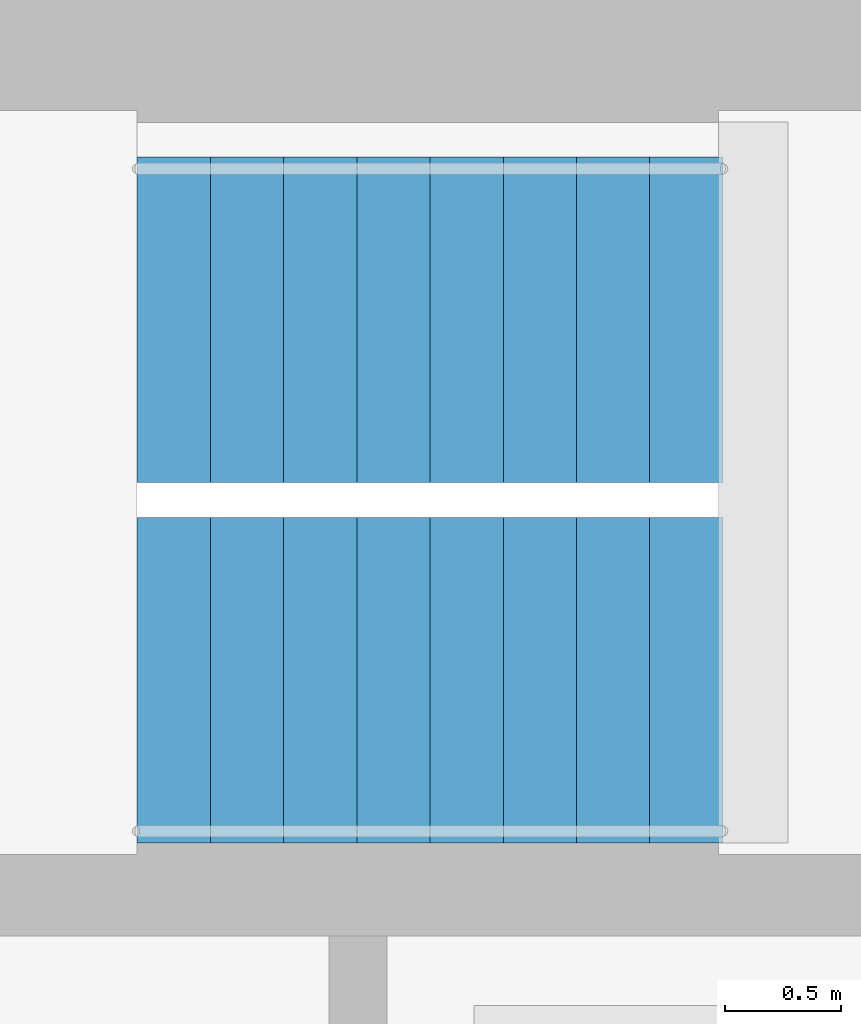
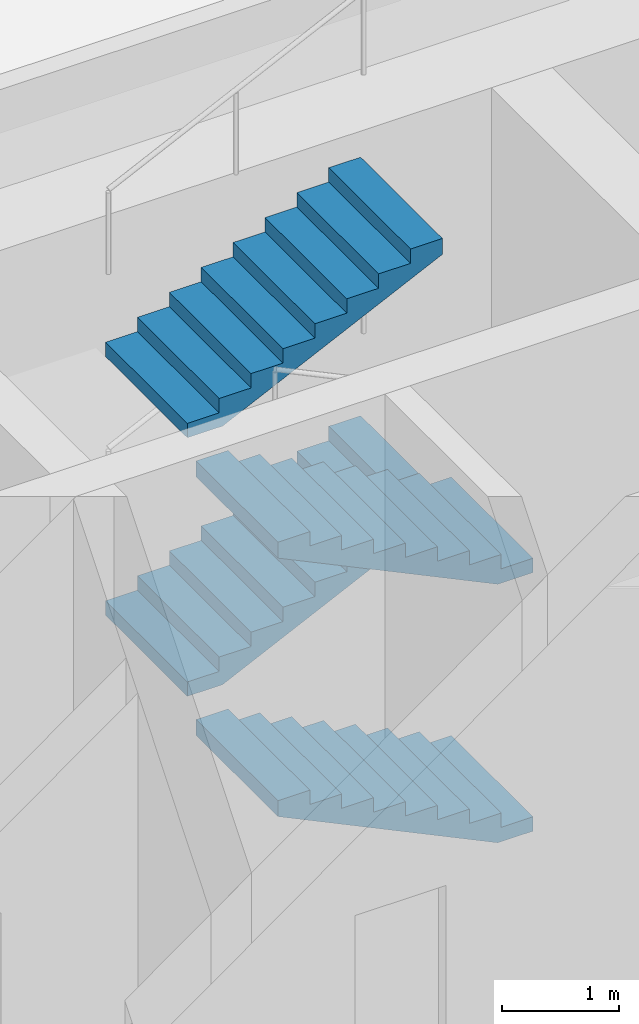
# One storey, part 9 of 13: 4 stair flights, 1 element without a shape of its own.
"""IFC4 building model written with IfcOpenShell, lengths in metres."""

from ifc_helpers import new_model, si_unit, direction, frame, origin, place, context, subcontext, project, spatial, polyline, outline, extrude, material, type_object, element, aggregate, save


model = new_model("IFC4")

# Units and contexts
model_context = context("Model", 3, precision=1e-05, world=origin(), true_north=direction((0.0, 1.0)))
body_context = subcontext(model_context, "Body", "Model", "MODEL_VIEW")
ifc_project = project(units=[si_unit("LENGTHUNIT", "METRE"), si_unit("AREAUNIT", "SQUARE_METRE"), si_unit("VOLUMEUNIT", "CUBIC_METRE"), si_unit("PLANEANGLEUNIT", "RADIAN"), si_unit("MASSUNIT", "GRAM", prefix="KILO")], contexts=[model_context])

# Site, building, storey
site_placement = place(None, origin())
site = spatial("IfcSite", under=ifc_project, at=site_placement, CompositionType="ELEMENT")
building_placement = place(site_placement, origin())
building = spatial("IfcBuilding", under=site, at=building_placement, Name="Hankou Lantern Tower", CompositionType="ELEMENT")
storey_placement = place(building_placement, frame((0.0, 0.0, 100.199951171875)))
storey = spatial("IfcBuildingStorey", under=building, at=storey_placement, Name="L25", CompositionType="ELEMENT", Elevation=100.199951171875)

# Stair, stair flights
ifc_material_1 = material(Name="Concrete C40", Category="concrete")
stair_type = type_object("IfcStairType", Name="ST54 CORE STAIR 5400 RISE", PredefinedType="HALF_TURN_STAIR", material=ifc_material_1)
stair_placement = place(storey_placement, origin())
stair = element("IfcStair", 1, at=stair_placement, inside=storey, type_object=stair_type, Name="Stair STA L25", PredefinedType="HALF_TURN_STAIR")
ifc_material_2 = material(Name="Concrete C40", Category="concrete")
stair_flight_type = type_object("IfcStairFlightType", Name="CF9 CORE STAIR FLIGHT 1400 X 9 RISERS", PredefinedType="STRAIGHT", material=ifc_material_2)
stair_flight_1_placement = place(storey_placement, frame((-4.429931640625, 5.199951171875, 0.0), z_axis=(0.0, 0.0, 1.0), x_axis=(-1.0, 0.0, 0.0)))
stair_flight_1 = element("IfcStairFlight", 2, at=stair_flight_1_placement, type_object=stair_flight_type, Name="STA flight 1", NumberOfRisers=9, NumberOfTreads=8, PredefinedType="STRAIGHT", RiserHeight=0.15, TreadLength=0.315, context=body_context, shape_type="SweptSolid", body=[
    extrude(outline(polyline([(0.0, 0.0), (0.0, 0.14990234375), (0.31494140625, 0.14990234375), (0.31494140625, 0.300048828125), (0.6298828125, 0.300048828125), (0.6298828125, 0.449951171875), (0.945068359375, 0.449951171875), (0.945068359375, 0.60009765625), (1.260009765625, 0.60009765625), (1.260009765625, 0.75), (1.574951171875, 0.75), (1.574951171875, 0.89990234375), (1.889892578125, 0.89990234375), (1.889892578125, 1.050048828125), (2.205078125, 1.050048828125), (2.205078125, 1.199951171875), (2.52001953125, 1.199951171875), (2.52001953125, 1.35009765625), (2.52001953125, 1.033935546875), (0.3486328125, 0.0), (0.0, 0.0)])), frame((0.0, 0.699951171875, 0.0), z_axis=(0.0, -1.0, 0.0), x_axis=(1.0, 0.0, 0.0)), (0.0, 0.0, 1.0), 1.39990234375),
])
stair_flight_2_placement = place(storey_placement, frame((-6.949951171875, 6.75, 1.35009765625), z_axis=(0.0, 0.0, 1.0), x_axis=(1.0, 0.0, 0.0)))
stair_flight_2 = element("IfcStairFlight", 3, at=stair_flight_2_placement, type_object=stair_flight_type, Name="STA flight 2", NumberOfRisers=9, NumberOfTreads=8, PredefinedType="STRAIGHT", RiserHeight=0.15, TreadLength=0.315, context=body_context, shape_type="SweptSolid", body=[
    extrude(outline(polyline([(0.0, 0.0), (0.0, 0.14990234375), (0.31494140625, 0.14990234375), (0.31494140625, 0.300048828125), (0.6298828125, 0.300048828125), (0.6298828125, 0.449951171875), (0.945068359375, 0.449951171875), (0.945068359375, 0.60009765625), (1.260009765625, 0.60009765625), (1.260009765625, 0.75), (1.574951171875, 0.75), (1.574951171875, 0.89990234375), (1.889892578125, 0.89990234375), (1.889892578125, 1.050048828125), (2.205078125, 1.050048828125), (2.205078125, 1.199951171875), (2.52001953125, 1.199951171875), (2.52001953125, 1.35009765625), (2.52001953125, 1.033935546875), (0.3486328125, 0.0), (0.0, 0.0)])), frame((0.0, 0.699951171875, 0.0), z_axis=(0.0, -1.0, 0.0), x_axis=(1.0, 0.0, 0.0)), (0.0, 0.0, 1.0), 1.39990234375),
])
stair_flight_3_placement = place(storey_placement, frame((-4.429931640625, 5.199951171875, 2.699951171875), z_axis=(0.0, 0.0, 1.0), x_axis=(-1.0, 0.0, 0.0)))
stair_flight_3 = element("IfcStairFlight", 4, at=stair_flight_3_placement, type_object=stair_flight_type, Name="STA flight 3", NumberOfRisers=9, NumberOfTreads=8, PredefinedType="STRAIGHT", RiserHeight=0.15, TreadLength=0.315, context=body_context, shape_type="SweptSolid", body=[
    extrude(outline(polyline([(0.0, 0.0), (0.0, 0.14990234375), (0.31494140625, 0.14990234375), (0.31494140625, 0.300048828125), (0.6298828125, 0.300048828125), (0.6298828125, 0.449951171875), (0.945068359375, 0.449951171875), (0.945068359375, 0.60009765625), (1.260009765625, 0.60009765625), (1.260009765625, 0.75), (1.574951171875, 0.75), (1.574951171875, 0.89990234375), (1.889892578125, 0.89990234375), (1.889892578125, 1.050048828125), (2.205078125, 1.050048828125), (2.205078125, 1.199951171875), (2.52001953125, 1.199951171875), (2.52001953125, 1.35009765625), (2.52001953125, 1.033935546875), (0.3486328125, 0.0), (0.0, 0.0)])), frame((0.0, 0.699951171875, 0.0), z_axis=(0.0, -1.0, 0.0), x_axis=(1.0, 0.0, 0.0)), (0.0, 0.0, 1.0), 1.39990234375),
])
stair_flight_4_placement = place(storey_placement, frame((-6.949951171875, 6.75, 4.050048828125), z_axis=(0.0, 0.0, 1.0), x_axis=(1.0, 0.0, 0.0)))
stair_flight_4 = element("IfcStairFlight", 5, at=stair_flight_4_placement, type_object=stair_flight_type, Name="STA flight 4", NumberOfRisers=9, NumberOfTreads=8, PredefinedType="STRAIGHT", RiserHeight=0.15, TreadLength=0.315, context=body_context, shape_type="SweptSolid", body=[
    extrude(outline(polyline([(0.0, 0.0), (0.0, 0.14990234375), (0.31494140625, 0.14990234375), (0.31494140625, 0.300048828125), (0.6298828125, 0.300048828125), (0.6298828125, 0.449951171875), (0.945068359375, 0.449951171875), (0.945068359375, 0.60009765625), (1.260009765625, 0.60009765625), (1.260009765625, 0.75), (1.574951171875, 0.75), (1.574951171875, 0.89990234375), (1.889892578125, 0.89990234375), (1.889892578125, 1.050048828125), (2.205078125, 1.050048828125), (2.205078125, 1.199951171875), (2.52001953125, 1.199951171875), (2.52001953125, 1.35009765625), (2.52001953125, 1.033935546875), (0.3486328125, 0.0), (0.0, 0.0)])), frame((0.0, 0.699951171875, 0.0), z_axis=(0.0, -1.0, 0.0), x_axis=(1.0, 0.0, 0.0)), (0.0, 0.0, 1.0), 1.39990234375),
])
aggregate(stair, [stair_flight_1, stair_flight_2, stair_flight_3, stair_flight_4])

save(model, "model.ifc")
